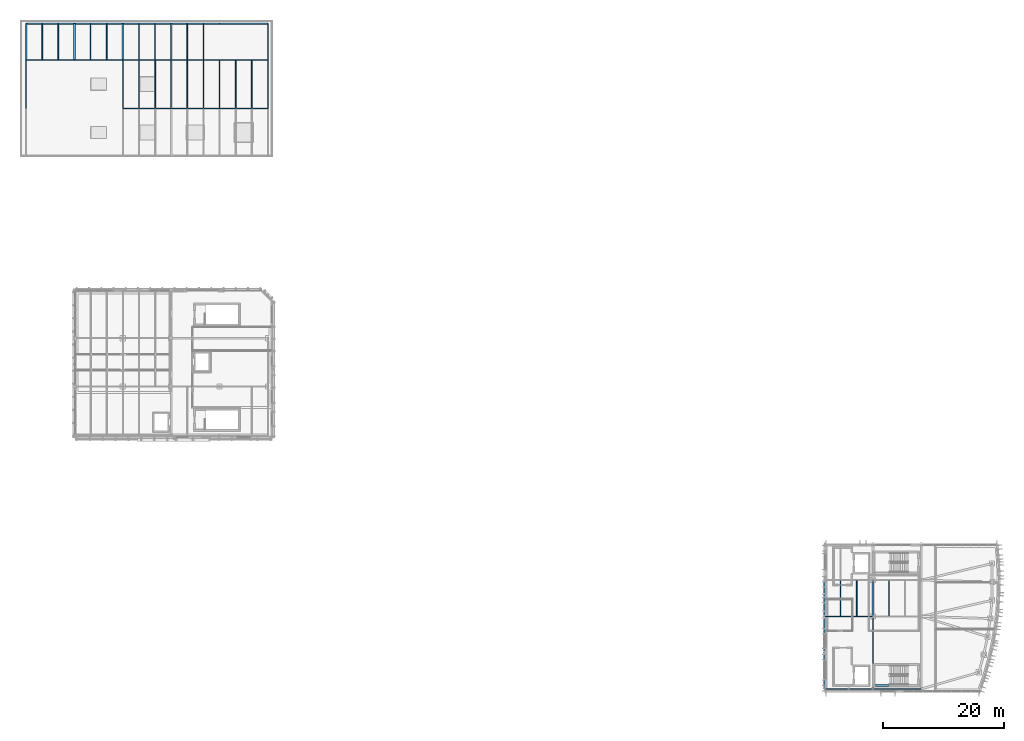
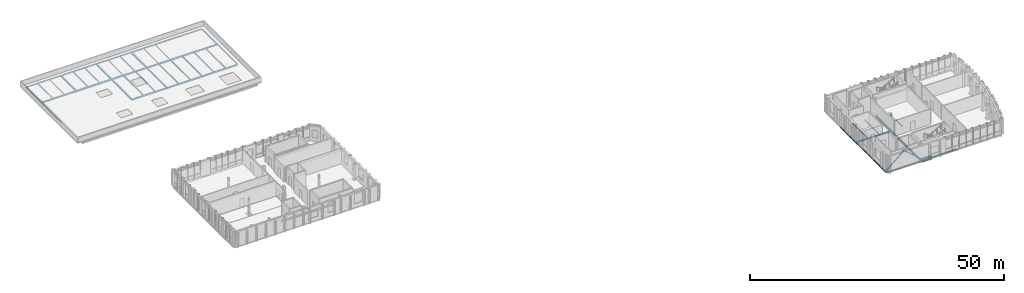
# One storey, part 9 of 28: 49 beams, 2 members.
"""IFC4 building model written with IfcOpenShell, lengths in metres."""

from ifc_helpers import new_model, si_unit, direction, frame, origin, origin_2d, place, context, subcontext, project, spatial, rectangle, hollow_rectangle, i_section, extrude, material, material_profile, profile_set, type_object, element, save


model = new_model("IFC4")

# Units and contexts
model_context = context("Model", 3, precision=1e-05, world=origin(), true_north=direction((0.0, 1.0)))
body_context = subcontext(model_context, "Body", "Model", "MODEL_VIEW")
ifc_project = project(units=[si_unit("LENGTHUNIT", "METRE"), si_unit("AREAUNIT", "SQUARE_METRE"), si_unit("VOLUMEUNIT", "CUBIC_METRE"), si_unit("PLANEANGLEUNIT", "RADIAN"), si_unit("MASSUNIT", "GRAM", prefix="KILO")], contexts=[model_context])

# Site, building, storey
site_placement = place(None, origin())
site = spatial("IfcSite", under=ifc_project, at=site_placement, CompositionType="ELEMENT")
building_placement = place(site_placement, origin())
building = spatial("IfcBuilding", under=site, at=building_placement, Name="Cymarion Research Institute", CompositionType="ELEMENT")
storey_placement = place(building_placement, frame((0.0, 0.0, 30.60009765625)))
storey = spatial("IfcBuildingStorey", under=building, at=storey_placement, Name="L07", CompositionType="ELEMENT", Elevation=30.60009765625)

# Beams
ifc_material_1 = material(Name="Concrete C40/50", Category="concrete")
ifc_material_profile_1 = material_profile(ifc_material_1, rectangle(XDim=0.35009765625, YDim=0.85009765625, at=origin_2d()), Name="RC 350x850")
ifc_profile_set_1 = profile_set([ifc_material_profile_1], Name="Concrete C40/50")
beam_type_1 = type_object("IfcBeamType", Name="COUPLING LINTEL LN02 RC 350x850", PredefinedType="LINTEL", material=ifc_profile_set_1)
beam_1_placement = place(storey_placement, frame((147.0, 6.050048828125, -0.6650390625), z_axis=(1.0, 0.0, 0.0), x_axis=(0.0, 1.0, 0.0)))
element("IfcBeam", 1, at=beam_1_placement, inside=storey, type_object=beam_type_1, Name="L07 C1 core coupling lintel LN02", PredefinedType="LINTEL", context=body_context, shape_type="SweptSolid", body=[
    extrude(rectangle(XDim=0.35009765625, YDim=0.85009765625, at=origin_2d()), origin(), (0.0, 0.0, 1.0), 2.199951171875),
])
ifc_material_2 = material(Name="Steel S355", Category="steel")
ifc_material_profile_2 = material_profile(ifc_material_2, i_section(OverallWidth=0.179931640625, OverallDepth=0.39990234375, WebThickness=0.008544921875, FlangeThickness=0.013427734375, FilletRadius=0.02099609375, at=origin_2d()), Name="IPE 400")
ifc_profile_set_2 = profile_set([ifc_material_profile_2], Name="Steel S355")
beam_type_2 = type_object("IfcBeamType", Name="PRIMARY GIRDER BM05 IPE 400", PredefinedType="BEAM", material=ifc_profile_set_2)
beam_2_placement = place(storey_placement, frame((138.60595703125, 17.5, -0.420166015625), z_axis=(1.0, 0.0, 0.0), x_axis=(0.0, 1.0, 0.0)))
element("IfcBeam", 2, at=beam_2_placement, inside=storey, type_object=beam_type_2, Name="L07 V1 girder BM05 #2191", PredefinedType="BEAM", context=body_context, shape_type="SweptSolid", body=[
    extrude(i_section(OverallWidth=0.179931640625, OverallDepth=0.39990234375, WebThickness=0.008544921875, FlangeThickness=0.013427734375, FilletRadius=0.02099609375, at=origin_2d()), origin(), (0.0, 0.0, 1.0), 7.988037109375),
])
beam_3_placement = place(storey_placement, frame((146.60009765625, 5.506103515625, -0.420166015625), z_axis=(0.0, 1.0, 0.0), x_axis=(-1.0, 0.0, 0.0)))
element("IfcBeam", 3, at=beam_3_placement, inside=storey, type_object=beam_type_2, Name="L07 V1 girder BM05 #2201", PredefinedType="BEAM", context=body_context, shape_type="SweptSolid", body=[
    extrude(i_section(OverallWidth=0.179931640625, OverallDepth=0.39990234375, WebThickness=0.008544921875, FlangeThickness=0.013427734375, FilletRadius=0.02099609375, at=origin_2d()), origin(), (0.0, 0.0, 1.0), 11.98779296875),
])
for number, where, z_axis, x_axis, name in (
    (4, (22.60595703125, 101.5, -0.440185546875), (1.0, 0.0, 0.0), (0.0, 1.0, 0.0), "L07 V5 girder BM05 #2266"),
    (5, (30.60595703125, 101.5, -0.440185546875), (1.0, 0.0, 0.0), (0.0, 1.0, 0.0), "L07 V5 girder BM05 #2267"),
    (6, (38.60595703125, 101.5, -0.440185546875), (1.0, 0.0, 0.0), (0.0, 1.0, 0.0), "L07 V5 girder BM05 #2268"),
    (7, (6.60595703125, 109.5, -0.440185546875), (1.0, 0.0, 0.0), (0.0, 1.0, 0.0), "L07 V5 girder BM05 #2269"),
    (8, (14.60595703125, 109.5, -0.440185546875), (1.0, 0.0, 0.0), (0.0, 1.0, 0.0), "L07 V5 girder BM05 #2270"),
    (9, (22.60595703125, 109.5, -0.440185546875), (1.0, 0.0, 0.0), (0.0, 1.0, 0.0), "L07 V5 girder BM05 #2271"),
    (10, (30.60595703125, 109.5, -0.440185546875), (1.0, 0.0, 0.0), (0.0, 1.0, 0.0), "L07 V5 girder BM05 #2272"),
    (11, (38.60595703125, 109.5, -0.440185546875), (1.0, 0.0, 0.0), (0.0, 1.0, 0.0), "L07 V5 girder BM05 #2273"),
):
    element("IfcBeam", number, at=place(storey_placement, frame(where, z_axis=z_axis, x_axis=x_axis)), inside=storey, type_object=beam_type_2, Name=name, PredefinedType="BEAM", context=body_context, shape_type="SweptSolid", body=[
        extrude(i_section(OverallWidth=0.179931640625, OverallDepth=0.39990234375, WebThickness=0.008544921875, FlangeThickness=0.013427734375, FilletRadius=0.02099609375, at=origin_2d()), origin(), (0.0, 0.0, 1.0), 7.988037109375),
    ])
for number, where, z_axis, x_axis, name in (
    (12, (22.60009765625, 101.506103515625, -0.440185546875), (0.0, 1.0, 0.0), (-1.0, 0.0, 0.0), "L07 V5 girder BM05 #2284"),
    (13, (30.60009765625, 101.506103515625, -0.440185546875), (0.0, 1.0, 0.0), (-1.0, 0.0, 0.0), "L07 V5 girder BM05 #2287"),
    (14, (38.60009765625, 101.506103515625, -0.440185546875), (0.0, 1.0, 0.0), (-1.0, 0.0, 0.0), "L07 V5 girder BM05 #2290"),
):
    element("IfcBeam", number, at=place(storey_placement, frame(where, z_axis=z_axis, x_axis=x_axis)), inside=storey, type_object=beam_type_2, Name=name, PredefinedType="BEAM", context=body_context, shape_type="SweptSolid", body=[
        extrude(i_section(OverallWidth=0.179931640625, OverallDepth=0.39990234375, WebThickness=0.008544921875, FlangeThickness=0.013427734375, FilletRadius=0.02099609375, at=origin_2d()), origin(), (0.0, 0.0, 1.0), 7.98779296875),
    ])
ifc_material_profile_3 = material_profile(ifc_material_2, i_section(OverallWidth=0.300048828125, OverallDepth=0.35009765625, WebThickness=0.010009765625, FlangeThickness=0.017578125, FilletRadius=0.027099609375, at=origin_2d()), Name="HEA 360")
ifc_profile_set_3 = profile_set([ifc_material_profile_3], Name="Steel S355")
beam_type_3 = type_object("IfcBeamType", Name="PRIMARY GIRDER BM12 HEA 360", PredefinedType="BEAM", material=ifc_profile_set_3)
for number, where, z_axis, x_axis, name in (
    (15, (146.60009765625, 17.506103515625, -0.39501953125), (0.0, 1.0, 0.0), (-1.0, 0.0, 0.0), "L07 V1 girder BM12 #2202"),
    (16, (14.60009765625, 109.506103515625, -0.4150390625), (0.0, 1.0, 0.0), (-1.0, 0.0, 0.0), "L07 V5 girder BM12 #2282"),
    (17, (22.60009765625, 109.506103515625, -0.4150390625), (0.0, 1.0, 0.0), (-1.0, 0.0, 0.0), "L07 V5 girder BM12 #2285"),
    (18, (30.60009765625, 109.506103515625, -0.4150390625), (0.0, 1.0, 0.0), (-1.0, 0.0, 0.0), "L07 V5 girder BM12 #2288"),
):
    element("IfcBeam", number, at=place(storey_placement, frame(where, z_axis=z_axis, x_axis=x_axis)), inside=storey, type_object=beam_type_3, Name=name, PredefinedType="BEAM", context=body_context, shape_type="SweptSolid", body=[
        extrude(i_section(OverallWidth=0.300048828125, OverallDepth=0.35009765625, WebThickness=0.010009765625, FlangeThickness=0.017578125, FilletRadius=0.027099609375, at=origin_2d()), origin(), (0.0, 0.0, 1.0), 5.98779296875),
    ])
ifc_material_profile_4 = material_profile(ifc_material_2, i_section(OverallWidth=0.14990234375, OverallDepth=0.300048828125, WebThickness=0.007080078125, FlangeThickness=0.0107421875, FilletRadius=0.014892578125, at=origin_2d()), Name="IPE 300")
ifc_profile_set_4 = profile_set([ifc_material_profile_4], Name="Steel S355")
beam_type_4 = type_object("IfcBeamType", Name="SECONDARY JOIST JS02 IPE 300", PredefinedType="JOIST", material=ifc_profile_set_4)
for number, where, z_axis, x_axis, name in (
    (19, (25.2666015625, 101.593994140625, -0.39013671875), (0.0, 1.0, 0.0), (-1.0, 0.0, 0.0), "L07 V5 secondary joist JS02 #2300"),
    (20, (27.933349609375, 101.593994140625, -0.39013671875), (0.0, 1.0, 0.0), (-1.0, 0.0, 0.0), "L07 V5 secondary joist JS02 #2301"),
    (21, (33.2666015625, 101.593994140625, -0.39013671875), (0.0, 1.0, 0.0), (-1.0, 0.0, 0.0), "L07 V5 secondary joist JS02 #2302"),
    (22, (35.933349609375, 101.593994140625, -0.39013671875), (0.0, 1.0, 0.0), (-1.0, 0.0, 0.0), "L07 V5 secondary joist JS02 #2303"),
    (23, (41.2666015625, 101.593994140625, -0.39013671875), (0.0, 1.0, 0.0), (-1.0, 0.0, 0.0), "L07 V5 secondary joist JS02 #2304"),
    (24, (43.933349609375, 101.593994140625, -0.39013671875), (0.0, 1.0, 0.0), (-1.0, 0.0, 0.0), "L07 V5 secondary joist JS02 #2305"),
):
    element("IfcBeam", number, at=place(storey_placement, frame(where, z_axis=z_axis, x_axis=x_axis)), inside=storey, type_object=beam_type_4, Name=name, PredefinedType="JOIST", context=body_context, shape_type="SweptSolid", body=[
        extrude(i_section(OverallWidth=0.14990234375, OverallDepth=0.300048828125, WebThickness=0.007080078125, FlangeThickness=0.0107421875, FilletRadius=0.014892578125, at=origin_2d()), origin(), (0.0, 0.0, 1.0), 7.81201171875),
    ])
ifc_material_profile_5 = material_profile(ifc_material_2, i_section(OverallWidth=0.1201171875, OverallDepth=0.239990234375, WebThickness=0.006103515625, FlangeThickness=0.009765625, FilletRadius=0.014892578125, at=origin_2d()), Name="IPE 240")
ifc_profile_set_5 = profile_set([ifc_material_profile_5], Name="Steel S355")
beam_type_5 = type_object("IfcBeamType", Name="SECONDARY JOIST JS04 IPE 240", PredefinedType="JOIST", material=ifc_profile_set_5)
for number, where, z_axis, x_axis, name in (
    (25, (141.2666015625, 17.593994140625, -0.340087890625), (0.0, 1.0, 0.0), (-1.0, 0.0, 0.0), "L07 V1 secondary joist JS04 #2218"),
    (26, (143.933349609375, 17.593994140625, -0.340087890625), (0.0, 1.0, 0.0), (-1.0, 0.0, 0.0), "L07 V1 secondary joist JS04 #2219"),
    (27, (149.2666015625, 17.593994140625, -0.340087890625), (0.0, 1.0, 0.0), (-1.0, 0.0, 0.0), "L07 V1 secondary joist JS04 #2220"),
):
    element("IfcBeam", number, at=place(storey_placement, frame(where, z_axis=z_axis, x_axis=x_axis)), inside=storey, type_object=beam_type_5, Name=name, PredefinedType="JOIST", context=body_context, shape_type="SweptSolid", body=[
        extrude(i_section(OverallWidth=0.1201171875, OverallDepth=0.239990234375, WebThickness=0.006103515625, FlangeThickness=0.009765625, FilletRadius=0.014892578125, at=origin_2d()), origin(), (0.0, 0.0, 1.0), 5.81201171875),
    ])
for number, where, z_axis, x_axis, name in (
    (28, (9.2666015625, 109.593994140625, -0.360107421875), (0.0, 1.0, 0.0), (-1.0, 0.0, 0.0), "L07 V5 secondary joist JS04 #2306"),
    (29, (11.933349609375, 109.593994140625, -0.360107421875), (0.0, 1.0, 0.0), (-1.0, 0.0, 0.0), "L07 V5 secondary joist JS04 #2307"),
    (30, (17.2666015625, 109.593994140625, -0.360107421875), (0.0, 1.0, 0.0), (-1.0, 0.0, 0.0), "L07 V5 secondary joist JS04 #2308"),
    (31, (19.933349609375, 109.593994140625, -0.360107421875), (0.0, 1.0, 0.0), (-1.0, 0.0, 0.0), "L07 V5 secondary joist JS04 #2309"),
    (32, (25.2666015625, 109.593994140625, -0.360107421875), (0.0, 1.0, 0.0), (-1.0, 0.0, 0.0), "L07 V5 secondary joist JS04 #2310"),
    (33, (27.933349609375, 109.593994140625, -0.360107421875), (0.0, 1.0, 0.0), (-1.0, 0.0, 0.0), "L07 V5 secondary joist JS04 #2311"),
    (34, (33.2666015625, 109.593994140625, -0.360107421875), (0.0, 1.0, 0.0), (-1.0, 0.0, 0.0), "L07 V5 secondary joist JS04 #2312"),
    (35, (35.933349609375, 109.593994140625, -0.360107421875), (0.0, 1.0, 0.0), (-1.0, 0.0, 0.0), "L07 V5 secondary joist JS04 #2313"),
):
    element("IfcBeam", number, at=place(storey_placement, frame(where, z_axis=z_axis, x_axis=x_axis)), inside=storey, type_object=beam_type_5, Name=name, PredefinedType="JOIST", context=body_context, shape_type="SweptSolid", body=[
        extrude(i_section(OverallWidth=0.1201171875, OverallDepth=0.239990234375, WebThickness=0.006103515625, FlangeThickness=0.009765625, FilletRadius=0.014892578125, at=origin_2d()), origin(), (0.0, 0.0, 1.0), 5.781982421875),
    ])
ifc_material_profile_6 = material_profile(ifc_material_2, i_section(OverallWidth=0.239990234375, OverallDepth=0.22998046875, WebThickness=0.007568359375, FlangeThickness=0.011962890625, FilletRadius=0.02099609375, at=origin_2d()), Name="HEA 240")
ifc_profile_set_6 = profile_set([ifc_material_profile_6], Name="Steel S355")
beam_type_6 = type_object("IfcBeamType", Name="SPANDREL BEAM SPB03 HEA 240", PredefinedType="SPANDREL", material=ifc_profile_set_6)
for number, where, z_axis, x_axis, name in (
    (36, (138.60595703125, 5.5, -0.335205078125), (1.0, 0.0, 0.0), (0.0, 1.0, 0.0), "L07 V1 girder SPB03 #2189"),
    (37, (146.60595703125, 5.5, -0.335205078125), (1.0, 0.0, 0.0), (0.0, 1.0, 0.0), "L07 V1 girder SPB03 #2190"),
):
    element("IfcBeam", number, at=place(storey_placement, frame(where, z_axis=z_axis, x_axis=x_axis)), inside=storey, type_object=beam_type_6, Name=name, PredefinedType="SPANDREL", context=body_context, shape_type="SweptSolid", body=[
        extrude(i_section(OverallWidth=0.239990234375, OverallDepth=0.22998046875, WebThickness=0.007568359375, FlangeThickness=0.011962890625, FilletRadius=0.02099609375, at=origin_2d()), origin(), (0.0, 0.0, 1.0), 7.988037109375),
    ])
for number, where, z_axis, x_axis, name in (
    (38, (138.60009765625, 5.506103515625, -0.335205078125), (0.0, 1.0, 0.0), (-1.0, 0.0, 0.0), "L07 V1 girder SPB03 #2197"),
    (39, (138.60009765625, 11.506103515625, -0.335205078125), (0.0, 1.0, 0.0), (-1.0, 0.0, 0.0), "L07 V1 girder SPB03 #2198"),
    (40, (138.60009765625, 17.506103515625, -0.335205078125), (0.0, 1.0, 0.0), (-1.0, 0.0, 0.0), "L07 V1 girder SPB03 #2199"),
):
    element("IfcBeam", number, at=place(storey_placement, frame(where, z_axis=z_axis, x_axis=x_axis)), inside=storey, type_object=beam_type_6, Name=name, PredefinedType="SPANDREL", context=body_context, shape_type="SweptSolid", body=[
        extrude(i_section(OverallWidth=0.239990234375, OverallDepth=0.22998046875, WebThickness=0.007568359375, FlangeThickness=0.011962890625, FilletRadius=0.02099609375, at=origin_2d()), origin(), (0.0, 0.0, 1.0), 5.98779296875),
    ])
for number, where, z_axis, x_axis, name in (
    (41, (6.60595703125, 115.5, -0.35498046875), (1.0, 0.0, 0.0), (0.0, 1.0, 0.0), "L07 V5 girder SPB03 #2274"),
    (42, (14.60595703125, 115.5, -0.35498046875), (1.0, 0.0, 0.0), (0.0, 1.0, 0.0), "L07 V5 girder SPB03 #2275"),
    (43, (22.60595703125, 115.5, -0.35498046875), (1.0, 0.0, 0.0), (0.0, 1.0, 0.0), "L07 V5 girder SPB03 #2276"),
    (44, (30.60595703125, 115.5, -0.35498046875), (1.0, 0.0, 0.0), (0.0, 1.0, 0.0), "L07 V5 girder SPB03 #2277"),
    (45, (38.60595703125, 115.5, -0.35498046875), (1.0, 0.0, 0.0), (0.0, 1.0, 0.0), "L07 V5 girder SPB03 #2278"),
):
    element("IfcBeam", number, at=place(storey_placement, frame(where, z_axis=z_axis, x_axis=x_axis)), inside=storey, type_object=beam_type_6, Name=name, PredefinedType="SPANDREL", context=body_context, shape_type="SweptSolid", body=[
        extrude(i_section(OverallWidth=0.239990234375, OverallDepth=0.22998046875, WebThickness=0.007568359375, FlangeThickness=0.011962890625, FilletRadius=0.02099609375, at=origin_2d()), origin(), (0.0, 0.0, 1.0), 7.988037109375),
    ])
for number, where, z_axis, x_axis, name in (
    (46, (6.60009765625, 109.506103515625, -0.35498046875), (0.0, 1.0, 0.0), (-1.0, 0.0, 0.0), "L07 V5 girder SPB03 #2281"),
    (47, (46.60009765625, 109.506103515625, -0.35498046875), (0.0, 1.0, 0.0), (-1.0, 0.0, 0.0), "L07 V5 girder SPB03 #2293"),
):
    element("IfcBeam", number, at=place(storey_placement, frame(where, z_axis=z_axis, x_axis=x_axis)), inside=storey, type_object=beam_type_6, Name=name, PredefinedType="SPANDREL", context=body_context, shape_type="SweptSolid", body=[
        extrude(i_section(OverallWidth=0.239990234375, OverallDepth=0.22998046875, WebThickness=0.007568359375, FlangeThickness=0.011962890625, FilletRadius=0.02099609375, at=origin_2d()), origin(), (0.0, 0.0, 1.0), 5.98779296875),
    ])
ifc_material_profile_7 = material_profile(ifc_material_2, i_section(OverallWidth=0.199951171875, OverallDepth=0.18994140625, WebThickness=0.006591796875, FlangeThickness=0.010009765625, FilletRadius=0.01806640625, at=origin_2d()), Name="HEA 200")
ifc_profile_set_7 = profile_set([ifc_material_profile_7], Name="Steel S355")
beam_type_7 = type_object("IfcBeamType", Name="SPANDREL BEAM SPB04 HEA 200", PredefinedType="SPANDREL", material=ifc_profile_set_7)
for number, where, z_axis, x_axis, name in (
    (48, (6.60009765625, 101.506103515625, -0.335205078125), (0.0, 1.0, 0.0), (-1.0, 0.0, 0.0), "L07 V5 girder SPB04 #2280"),
    (49, (46.60009765625, 101.506103515625, -0.335205078125), (0.0, 1.0, 0.0), (-1.0, 0.0, 0.0), "L07 V5 girder SPB04 #2292"),
):
    element("IfcBeam", number, at=place(storey_placement, frame(where, z_axis=z_axis, x_axis=x_axis)), inside=storey, type_object=beam_type_7, Name=name, PredefinedType="SPANDREL", context=body_context, shape_type="SweptSolid", body=[
        extrude(i_section(OverallWidth=0.199951171875, OverallDepth=0.18994140625, WebThickness=0.006591796875, FlangeThickness=0.010009765625, FilletRadius=0.01806640625, at=origin_2d()), origin(), (0.0, 0.0, 1.0), 7.98779296875),
    ])

# Members
ifc_material_profile_8 = material_profile(ifc_material_2, hollow_rectangle(XDim=0.199951171875, YDim=0.199951171875, WallThickness=0.010009765625, InnerFilletRadius=0.014892578125, OuterFilletRadius=0.02490234375, at=origin_2d()), Name="SHS 200x200x10")
ifc_profile_set_8 = profile_set([ifc_material_profile_8], Name="Steel S355")
member_type = type_object("IfcMemberType", Name="STRUCTURAL MEMBER BR07 SHS 200x200x10", PredefinedType="BRACE", material=ifc_profile_set_8)
for number, where, z_axis, x_axis, name in (
    (50, (138.615234375, 5.5, 0.119873046875), (0.756332128238, 0.0, 0.654187826082), (0.0, 1.0, 0.0), "L07 V1 seismic chevron brace BR07 #1"),
    (51, (146.584716796875, 5.5, 0.119873046875), (-0.756332128238, 0.0, 0.654187826082), (0.0, -1.0, 0.0), "L07 V1 seismic chevron brace BR07 #2"),
):
    element("IfcMember", number, at=place(storey_placement, frame(where, z_axis=z_axis, x_axis=x_axis)), inside=storey, type_object=member_type, Name=name, PredefinedType="BRACE", context=body_context, shape_type="SweptSolid", body=[
        extrude(hollow_rectangle(XDim=0.199951171875, YDim=0.199951171875, WallThickness=0.010009765625, InnerFilletRadius=0.014892578125, OuterFilletRadius=0.02490234375, at=origin_2d()), origin(), (0.0, 0.0, 1.0), 5.25830078125),
    ])

save(model, "model.ifc")
